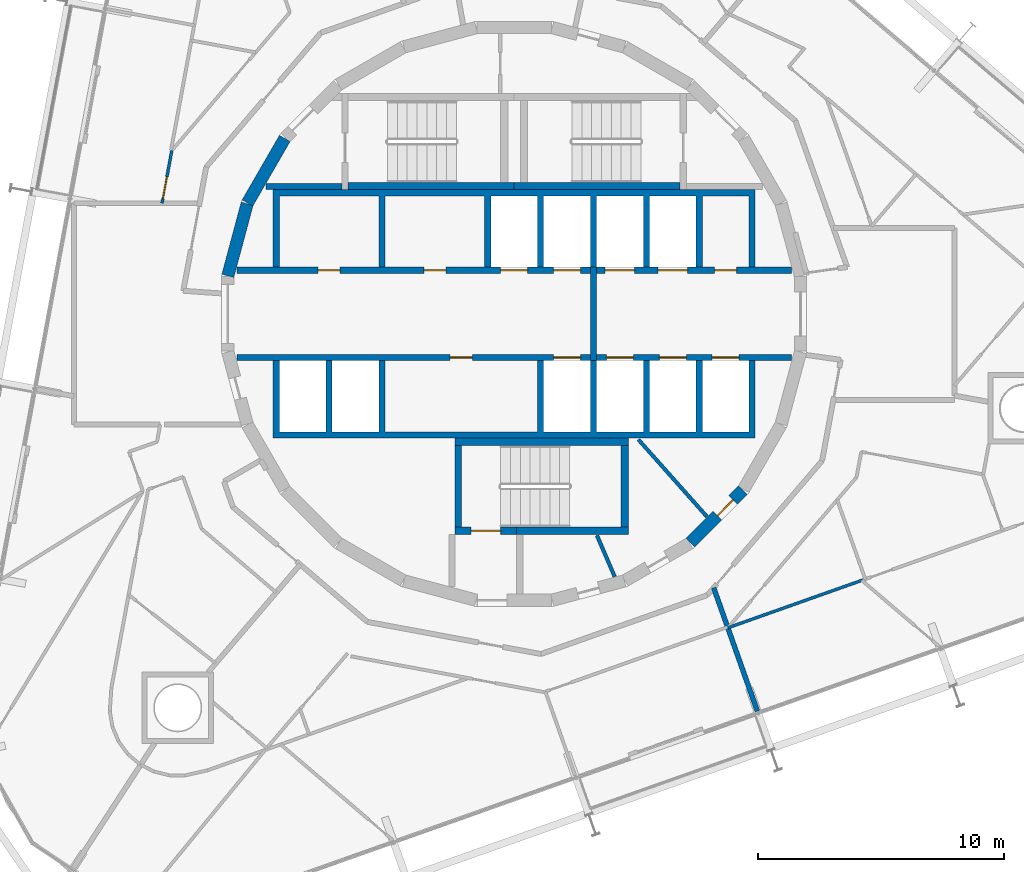
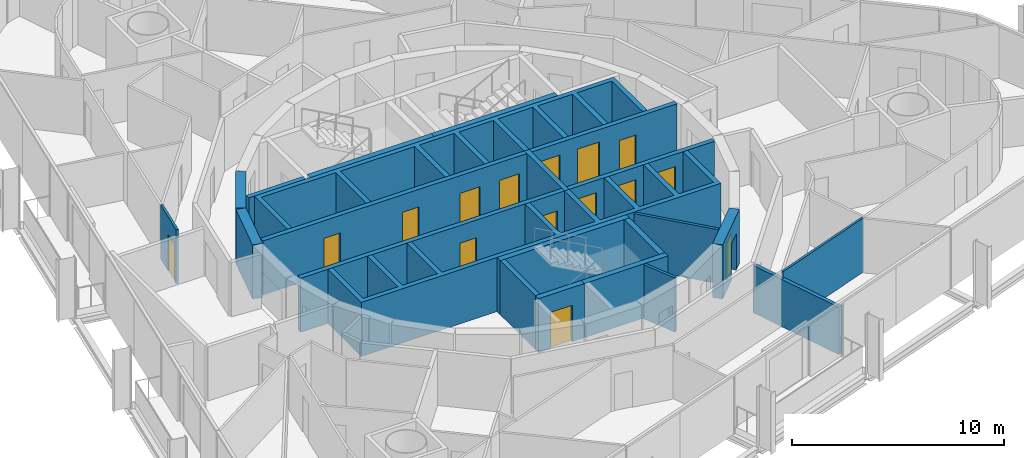
# One storey, part 12 of 17: 23 walls, 15 doors, 15 openings.
"""IFC4 building model written with IfcOpenShell, lengths in metres."""

from ifc_helpers import new_model, si_unit, direction, frame, frame_2d, origin, place, context, subcontext, project, spatial, polyline, rectangle, outline, extrude, material, layer, layer_set, type_object, element, fill, save


model = new_model("IFC4")

# Units and contexts
model_context = context("Model", 3, precision=1e-05, world=origin(), true_north=direction((0.0, 1.0)))
body_context = subcontext(model_context, "Body", "Model", "MODEL_VIEW")
ifc_project = project(units=[si_unit("LENGTHUNIT", "METRE"), si_unit("AREAUNIT", "SQUARE_METRE"), si_unit("VOLUMEUNIT", "CUBIC_METRE"), si_unit("PLANEANGLEUNIT", "RADIAN"), si_unit("MASSUNIT", "GRAM", prefix="KILO")], contexts=[model_context])

# Site, building, storey
site_placement = place(None, origin())
site = spatial("IfcSite", under=ifc_project, at=site_placement, CompositionType="ELEMENT")
building_placement = place(site_placement, origin())
building = spatial("IfcBuilding", under=site, at=building_placement, Name="Spindle Arch Residences", CompositionType="ELEMENT")
storey_placement = place(building_placement, frame((0.0, 0.0, 169.199951171875)))
storey = spatial("IfcBuildingStorey", under=building, at=storey_placement, Name="L42", CompositionType="ELEMENT", Elevation=169.199951171875)

# Wall, opening, door
ifc_material_1 = material(Name="Concrete C50/60", Category="concrete")
ifc_layer_1 = layer(ifc_material_1, 0.5)
ifc_layer_set_1 = layer_set([ifc_layer_1], Name="Core outline wall 500")
wall_type_1 = type_object("IfcWallType", Name="Core outline wall 500", PredefinedType="SHEAR", material=ifc_layer_set_1)
wall_1_placement = place(storey_placement, frame((7.163818359375, -9.30810546875, 0.0), z_axis=(0.0, 0.0, 1.0), x_axis=(0.707106781187, 0.707106781187, 0.0)))
wall_1 = element("IfcWall", 1, at=wall_1_placement, inside=storey, type_object=wall_type_1, Name="Core outline wall 3", PredefinedType="SHEAR", context=body_context, shape_type="SweptSolid", body=[
    extrude(rectangle(XDim=3.032470703125, YDim=0.5, at=frame_2d((1.51611328125, 0.0))), origin(), (0.0, 0.0, 1.0), 3.1201171875),
])
opening_1_placement = place(wall_1_placement, frame((1.56640625, 0.0, 0.0)))
opening_1 = element("IfcOpeningElement", 2, at=opening_1_placement, cuts=wall_1, Name="Opening R4B1-WD06", PredefinedType="OPENING", context=body_context, shape_type="SweptSolid", body=[
    extrude(rectangle(XDim=0.89990234375, YDim=2.10009765625, at=frame_2d((0.449951171875, 1.050048828125))), frame((0.0, 0.260009765625, 0.0), z_axis=(0.0, -1.0, 0.0), x_axis=(1.0, 0.0, 0.0)), (0.0, 0.0, 1.0), 0.52001953125),
])
ifc_material_2 = material(Name="Steel, fire-resisting door", Category="steel")
door_type_1 = type_object("IfcDoorType", Name="Service room door 900x2100", OperationType="SINGLE_SWING_LEFT", PredefinedType="DOOR", material=ifc_material_2)
door_1_placement = place(opening_1_placement, origin())
door_1 = element("IfcDoor", 3, at=door_1_placement, inside=storey, type_object=door_type_1, Name="Service room door R4B1-WD06", OperationType="SINGLE_SWING_RIGHT", OverallHeight=2.10009765625, OverallWidth=0.89990234375, PredefinedType="DOOR", context=body_context, shape_type="SweptSolid", body=[
    extrude(rectangle(XDim=0.89990234375, YDim=2.10009765625, at=frame_2d((0.449951171875, 1.050048828125))), frame((0.0, 0.02490234375, 0.0), z_axis=(0.0, -1.0, 0.0), x_axis=(1.0, 0.0, 0.0)), (0.0, 0.0, 1.0), 0.050048828125),
])
fill(opening_1, door_1)

# Walls
for number, where, z_axis, x_axis, name in (
    (4, (-9.32861328125, 7.13671875, 0.0), (0.0, 0.0, 1.0), (-0.500087131594, -0.865975092491, 0.0), "Core outline wall 16"),
    (5, (-10.858154296875, 4.479248046875, 0.0), (0.0, 0.0, 1.0), (-0.258734743916, -0.965948410781, 0.0), "Core outline wall 17"),
):
    element("IfcWall", number, at=place(storey_placement, frame(where, z_axis=z_axis, x_axis=x_axis)), inside=storey, type_object=wall_type_1, Name=name, PredefinedType="SHEAR", context=body_context, shape_type="SweptSolid", body=[
        extrude(rectangle(XDim=3.03271484375, YDim=0.5, at=frame_2d((1.516357421875, 0.0))), origin(), (0.0, 0.0, 1.0), 3.1201171875),
    ])

# Wall, openings, doors
ifc_material_3 = material(Name="Concrete C40/50", Category="concrete")
ifc_layer_2 = layer(ifc_material_3, 0.25)
ifc_layer_set_2 = layer_set([ifc_layer_2], Name="Fire-lift lobby wall 250")
wall_type_2 = type_object("IfcWallType", Name="Fire-lift lobby wall 250", PredefinedType="SHEAR", material=ifc_layer_set_2)
wall_2_placement = place(storey_placement, frame((3.35009765625, 1.77490234375, 0.0), z_axis=(0.0, 0.0, 1.0), x_axis=(1.0, 0.0, 0.0)))
wall_2 = element("IfcWall", 6, at=wall_2_placement, inside=storey, type_object=wall_type_2, Name="Lift shaft front wall NE", PredefinedType="SHEAR", context=body_context, shape_type="SweptSolid", body=[
    extrude(rectangle(XDim=7.929931640625, YDim=0.25, at=frame_2d((3.96484375, 0.0))), origin(), (0.0, 0.0, 1.0), 3.1201171875),
])
opening_2_placement = place(wall_2_placement, frame((0.35009765625, 0.0, 0.0)))
opening_2 = element("IfcOpeningElement", 7, at=opening_2_placement, cuts=wall_2, Name="Opening R4B1-SLD01", PredefinedType="OPENING", context=body_context, shape_type="SweptSolid", body=[
    extrude(rectangle(XDim=1.199951171875, YDim=2.39990234375, at=frame_2d((0.60009765625, 1.199951171875))), frame((0.0, 0.135009765625, 0.0), z_axis=(0.0, -1.0, 0.0), x_axis=(1.0, 0.0, 0.0)), (0.0, 0.0, 1.0), 0.27001953125),
])
opening_3_placement = place(wall_2_placement, frame((2.5, 0.0, 0.0)))
opening_3 = element("IfcOpeningElement", 8, at=opening_3_placement, cuts=wall_2, Name="Opening R4B1-SLD02", PredefinedType="OPENING", context=body_context, shape_type="SweptSolid", body=[
    extrude(rectangle(XDim=1.199951171875, YDim=2.39990234375, at=frame_2d((0.60009765625, 1.199951171875))), frame((0.0, 0.135009765625, 0.0), z_axis=(0.0, -1.0, 0.0), x_axis=(1.0, 0.0, 0.0)), (0.0, 0.0, 1.0), 0.27001953125),
])
opening_4_placement = place(wall_2_placement, frame((4.800048828125, 0.0, 0.0)))
opening_4 = element("IfcOpeningElement", 9, at=opening_4_placement, cuts=wall_2, Name="Opening R4B1-WD03", PredefinedType="OPENING", context=body_context, shape_type="SweptSolid", body=[
    extrude(rectangle(XDim=0.89990234375, YDim=2.10009765625, at=frame_2d((0.449951171875, 1.050048828125))), frame((0.0, 0.135009765625, 0.0), z_axis=(0.0, -1.0, 0.0), x_axis=(1.0, 0.0, 0.0)), (0.0, 0.0, 1.0), 0.27001953125),
])
ifc_material_4 = material(Name="Steel, fire-resisting landing door", Category="steel")
door_type_2 = type_object("IfcDoorType", Name="Service lift landing door 1200x2400", OperationType="DOUBLE_DOOR_SLIDING", PredefinedType="DOOR", material=ifc_material_4)
door_2_placement = place(opening_2_placement, origin())
door_2 = element("IfcDoor", 10, at=door_2_placement, inside=storey, type_object=door_type_2, Name="Service lift landing door R4B1-SLD01", OperationType="DOUBLE_DOOR_SLIDING", OverallHeight=2.39990234375, OverallWidth=1.199951171875, PredefinedType="DOOR", context=body_context, shape_type="SweptSolid", body=[
    extrude(rectangle(XDim=1.199951171875, YDim=2.39990234375, at=frame_2d((0.60009765625, 1.199951171875))), frame((0.0, 0.02490234375, 0.0), z_axis=(0.0, -1.0, 0.0), x_axis=(1.0, 0.0, 0.0)), (0.0, 0.0, 1.0), 0.050048828125),
])
fill(opening_2, door_2)
door_3_placement = place(opening_3_placement, origin())
door_3 = element("IfcDoor", 11, at=door_3_placement, inside=storey, type_object=door_type_2, Name="Service lift landing door R4B1-SLD02", OperationType="DOUBLE_DOOR_SLIDING", OverallHeight=2.39990234375, OverallWidth=1.199951171875, PredefinedType="DOOR", context=body_context, shape_type="SweptSolid", body=[
    extrude(rectangle(XDim=1.199951171875, YDim=2.39990234375, at=frame_2d((0.60009765625, 1.199951171875))), frame((0.0, 0.02490234375, 0.0), z_axis=(0.0, -1.0, 0.0), x_axis=(1.0, 0.0, 0.0)), (0.0, 0.0, 1.0), 0.050048828125),
])
fill(opening_3, door_3)
door_4_placement = place(opening_4_placement, origin())
door_4 = element("IfcDoor", 12, at=door_4_placement, inside=storey, type_object=door_type_1, Name="Service room door R4B1-WD03", OperationType="SINGLE_SWING_LEFT", OverallHeight=2.10009765625, OverallWidth=0.89990234375, PredefinedType="DOOR", context=body_context, shape_type="SweptSolid", body=[
    extrude(rectangle(XDim=0.89990234375, YDim=2.10009765625, at=frame_2d((0.449951171875, 1.050048828125))), frame((0.0, 0.02490234375, 0.0), z_axis=(0.0, -1.0, 0.0), x_axis=(1.0, 0.0, 0.0)), (0.0, 0.0, 1.0), 0.050048828125),
])
fill(opening_4, door_4)

# Wall
wall_3_placement = place(storey_placement, frame((3.22509765625, -1.89990234375, 0.0), z_axis=(0.0, 0.0, 1.0), x_axis=(0.0, 1.0, 0.0)))
element("IfcWall", 13, at=wall_3_placement, inside=storey, type_object=wall_type_2, Name="Fire-fighting lobby partition", PredefinedType="SHEAR", context=body_context, shape_type="SweptSolid", body=[
    extrude(rectangle(XDim=3.7998046875, YDim=0.25, at=frame_2d((1.89990234375, 0.0))), origin(), (0.0, 0.0, 1.0), 3.1201171875),
])

# Wall, openings, doors
ifc_material_5 = material(Name="Concrete C50/60", Category="concrete")
ifc_layer_3 = layer(ifc_material_5, 0.25)
ifc_layer_set_3 = layer_set([ifc_layer_3], Name="Fire-lift shaft wall 250")
wall_type_3 = type_object("IfcWallType", Name="Fire-lift shaft wall 250", PredefinedType="SHEAR", material=ifc_layer_set_3)
wall_4_placement = place(storey_placement, frame((3.35009765625, -1.77490234375, 0.0), z_axis=(0.0, 0.0, 1.0), x_axis=(1.0, 0.0, 0.0)))
wall_4 = element("IfcWall", 14, at=wall_4_placement, inside=storey, type_object=wall_type_3, Name="Lift shaft front wall SE", PredefinedType="SHEAR", context=body_context, shape_type="SweptSolid", body=[
    extrude(rectangle(XDim=7.929931640625, YDim=0.25, at=frame_2d((3.96484375, 0.0))), origin(), (0.0, 0.0, 1.0), 3.1201171875),
])
opening_5_placement = place(wall_4_placement, frame((0.39990234375, 0.0, 0.0)))
opening_5 = element("IfcOpeningElement", 15, at=opening_5_placement, cuts=wall_4, Name="Opening R4B1-FLD01", PredefinedType="OPENING", context=body_context, shape_type="SweptSolid", body=[
    extrude(rectangle(XDim=1.10009765625, YDim=2.39990234375, at=frame_2d((0.550048828125, 1.199951171875))), frame((0.0, 0.135009765625, 0.0), z_axis=(0.0, -1.0, 0.0), x_axis=(1.0, 0.0, 0.0)), (0.0, 0.0, 1.0), 0.27001953125),
])
opening_6_placement = place(wall_4_placement, frame((2.550048828125, 0.0, 0.0)))
opening_6 = element("IfcOpeningElement", 16, at=opening_6_placement, cuts=wall_4, Name="Opening R4B1-FLD02", PredefinedType="OPENING", context=body_context, shape_type="SweptSolid", body=[
    extrude(rectangle(XDim=1.10009765625, YDim=2.39990234375, at=frame_2d((0.550048828125, 1.199951171875))), frame((0.0, 0.135009765625, 0.0), z_axis=(0.0, -1.0, 0.0), x_axis=(1.0, 0.0, 0.0)), (0.0, 0.0, 1.0), 0.27001953125),
])
opening_7_placement = place(wall_4_placement, frame((4.699951171875, 0.0, 0.0)))
opening_7 = element("IfcOpeningElement", 17, at=opening_7_placement, cuts=wall_4, Name="Opening R4B1-FLD03", PredefinedType="OPENING", context=body_context, shape_type="SweptSolid", body=[
    extrude(rectangle(XDim=1.10009765625, YDim=2.39990234375, at=frame_2d((0.550048828125, 1.199951171875))), frame((0.0, 0.135009765625, 0.0), z_axis=(0.0, -1.0, 0.0), x_axis=(1.0, 0.0, 0.0)), (0.0, 0.0, 1.0), 0.27001953125),
])
ifc_material_6 = material(Name="Steel, fire-resisting landing door", Category="steel")
door_type_3 = type_object("IfcDoorType", Name="Fire-fighting lift landing door 1100x2400", OperationType="DOUBLE_DOOR_SLIDING", PredefinedType="DOOR", material=ifc_material_6)
door_5_placement = place(opening_5_placement, origin())
door_5 = element("IfcDoor", 18, at=door_5_placement, inside=storey, type_object=door_type_3, Name="Fire-fighting lift landing door R4B1-FLD01", OperationType="DOUBLE_DOOR_SLIDING", OverallHeight=2.39990234375, OverallWidth=1.10009765625, PredefinedType="DOOR", context=body_context, shape_type="SweptSolid", body=[
    extrude(rectangle(XDim=1.10009765625, YDim=2.39990234375, at=frame_2d((0.550048828125, 1.199951171875))), frame((0.0, 0.02490234375, 0.0), z_axis=(0.0, -1.0, 0.0), x_axis=(1.0, 0.0, 0.0)), (0.0, 0.0, 1.0), 0.050048828125),
])
fill(opening_5, door_5)
door_6_placement = place(opening_6_placement, origin())
door_6 = element("IfcDoor", 19, at=door_6_placement, inside=storey, type_object=door_type_3, Name="Fire-fighting lift landing door R4B1-FLD02", OperationType="DOUBLE_DOOR_SLIDING", OverallHeight=2.39990234375, OverallWidth=1.10009765625, PredefinedType="DOOR", context=body_context, shape_type="SweptSolid", body=[
    extrude(rectangle(XDim=1.10009765625, YDim=2.39990234375, at=frame_2d((0.550048828125, 1.199951171875))), frame((0.0, 0.02490234375, 0.0), z_axis=(0.0, -1.0, 0.0), x_axis=(1.0, 0.0, 0.0)), (0.0, 0.0, 1.0), 0.050048828125),
])
fill(opening_6, door_6)
door_7_placement = place(opening_7_placement, origin())
door_7 = element("IfcDoor", 20, at=door_7_placement, inside=storey, type_object=door_type_3, Name="Fire-fighting lift landing door R4B1-FLD03", OperationType="DOUBLE_DOOR_SLIDING", OverallHeight=2.39990234375, OverallWidth=1.10009765625, PredefinedType="DOOR", context=body_context, shape_type="SweptSolid", body=[
    extrude(rectangle(XDim=1.10009765625, YDim=2.39990234375, at=frame_2d((0.550048828125, 1.199951171875))), frame((0.0, 0.02490234375, 0.0), z_axis=(0.0, -1.0, 0.0), x_axis=(1.0, 0.0, 0.0)), (0.0, 0.0, 1.0), 0.050048828125),
])
fill(opening_7, door_7)

# Wall, opening, door
ifc_material_7 = material(Name="Plasterboard on steel studs", Category="steel")
ifc_layer_4 = layer(ifc_material_7, 0.1201171875)
ifc_layer_set_4 = layer_set([ifc_layer_4], Name="Flat partition 120")
wall_type_4 = type_object("IfcWallType", Name="Flat partition 120", PredefinedType="PARTITIONING", material=ifc_layer_set_4)
wall_5_placement = place(storey_placement, frame((-13.9228515625, 6.640869140625, 0.0), z_axis=(0.0, 0.0, 1.0), x_axis=(-0.182209715759, -0.983259690765, 0.0)))
wall_5 = element("IfcWall", 21, at=wall_5_placement, inside=storey, type_object=wall_type_4, Name="Flat partition R4B1-W072", PredefinedType="PARTITIONING", context=body_context, shape_type="SweptSolid", body=[
    extrude(rectangle(XDim=2.17724609375, YDim=0.1201171875, at=frame_2d((1.088623046875, 0.0))), origin(), (0.0, 0.0, 1.0), 3.1201171875),
])
opening_8_placement = place(wall_5_placement, frame((1.08349609375, 0.0, 0.0)))
opening_8 = element("IfcOpeningElement", 22, at=opening_8_placement, cuts=wall_5, Name="Opening R4B1-ID13", PredefinedType="OPENING", context=body_context, shape_type="SweptSolid", body=[
    extrude(rectangle(XDim=0.89990234375, YDim=2.10009765625, at=frame_2d((0.449951171875, 1.050048828125))), frame((0.0, 0.070068359375, 0.0), z_axis=(0.0, -1.0, 0.0), x_axis=(1.0, 0.0, 0.0)), (0.0, 0.0, 1.0), 0.14013671875),
])
ifc_material_8 = material(Name="Timber door set", Category="wood")
door_type_4 = type_object("IfcDoorType", Name="Room door 900x2100", OperationType="NOTDEFINED", PredefinedType="DOOR", material=ifc_material_8)
door_8_placement = place(opening_8_placement, origin())
door_8 = element("IfcDoor", 23, at=door_8_placement, inside=storey, type_object=door_type_4, Name="Room door R4B1-ID13", OperationType="SINGLE_SWING_LEFT", OverallHeight=2.10009765625, OverallWidth=0.89990234375, PredefinedType="DOOR", context=body_context, shape_type="SweptSolid", body=[
    extrude(rectangle(XDim=0.89990234375, YDim=2.10009765625, at=frame_2d((0.449951171875, 1.050048828125))), frame((0.0, 0.02490234375, 0.0), z_axis=(0.0, -1.0, 0.0), x_axis=(1.0, 0.0, 0.0)), (0.0, 0.0, 1.0), 0.050048828125),
])
fill(opening_8, door_8)

# Walls
wall_6_placement = place(storey_placement, frame((14.182861328125, -10.819091796875, 0.0), z_axis=(0.0, 0.0, 1.0), x_axis=(-0.942646448855, -0.333792858612, 0.0)))
element("IfcWall", 24, at=wall_6_placement, inside=storey, type_object=wall_type_4, Name="Flat partition R4B1-W116", PredefinedType="PARTITIONING", context=body_context, shape_type="SweptSolid", body=[
    extrude(rectangle(XDim=5.827880859375, YDim=0.1201171875, at=frame_2d((2.9140625, 0.0))), origin(), (0.0, 0.0, 1.0), 3.1201171875),
])
ifc_material_9 = material(Name="Calcium silicate block, plastered")
ifc_layer_5 = layer(ifc_material_9, 0.199951171875)
ifc_layer_set_5 = layer_set([ifc_layer_5], Name="Flat party wall 200 under beam 2730")
wall_type_5 = type_object("IfcWallType", Name="Flat party wall 200 under beam 2730", PredefinedType="STANDARD", material=ifc_layer_set_5)
wall_7_placement = place(storey_placement, frame((9.89111328125, -16.157958984375, 0.0), z_axis=(0.0, 0.0, 1.0), x_axis=(-0.333807281402, 0.942641341594, 0.0)))
element("IfcWall", 25, at=wall_7_placement, inside=storey, type_object=wall_type_5, Name="Flat party wall R4B1-W037", PredefinedType="STANDARD", context=body_context, shape_type="SweptSolid", body=[
    extrude(rectangle(XDim=5.328857421875, YDim=0.199951171875, at=frame_2d((2.66455078125, 0.0))), origin(), (0.0, 0.0, 1.0), 2.72998046875),
])

# Wall, openings, doors
ifc_material_10 = material(Name="Concrete C50/60", Category="concrete")
ifc_layer_6 = layer(ifc_material_10, 0.25)
ifc_layer_set_6 = layer_set([ifc_layer_6], Name="Lift shaft wall 250")
wall_type_6 = type_object("IfcWallType", Name="Lift shaft wall 250", PredefinedType="SHEAR", material=ifc_layer_set_6)
wall_8_placement = place(storey_placement, frame((-11.280029296875, 1.77490234375, 0.0), z_axis=(0.0, 0.0, 1.0), x_axis=(1.0, 0.0, 0.0)))
wall_8 = element("IfcWall", 26, at=wall_8_placement, inside=storey, type_object=wall_type_6, Name="Lift shaft front wall NW", PredefinedType="SHEAR", context=body_context, shape_type="SweptSolid", body=[
    extrude(rectangle(XDim=14.380126953125, YDim=0.25, at=frame_2d((7.18994140625, 0.0))), origin(), (0.0, 0.0, 1.0), 3.1201171875),
])
opening_9_placement = place(wall_8_placement, frame((10.72998046875, 0.0, 0.0)))
opening_9 = element("IfcOpeningElement", 27, at=opening_9_placement, cuts=wall_8, Name="Opening R4B1-LD01", PredefinedType="OPENING", context=body_context, shape_type="SweptSolid", body=[
    extrude(rectangle(XDim=1.10009765625, YDim=2.10009765625, at=frame_2d((0.550048828125, 1.050048828125))), frame((0.0, 0.135009765625, 0.0), z_axis=(0.0, -1.0, 0.0), x_axis=(1.0, 0.0, 0.0)), (0.0, 0.0, 1.0), 0.27001953125),
])
opening_10_placement = place(wall_8_placement, frame((12.8798828125, 0.0, 0.0)))
opening_10 = element("IfcOpeningElement", 28, at=opening_10_placement, cuts=wall_8, Name="Opening R4B1-LD02", PredefinedType="OPENING", context=body_context, shape_type="SweptSolid", body=[
    extrude(rectangle(XDim=1.10009765625, YDim=2.10009765625, at=frame_2d((0.550048828125, 1.050048828125))), frame((0.0, 0.135009765625, 0.0), z_axis=(0.0, -1.0, 0.0), x_axis=(1.0, 0.0, 0.0)), (0.0, 0.0, 1.0), 0.27001953125),
])
opening_11_placement = place(wall_8_placement, frame((3.304931640625, 0.0, 0.0)))
opening_11 = element("IfcOpeningElement", 29, at=opening_11_placement, cuts=wall_8, Name="Opening R4B1-WD01", PredefinedType="OPENING", context=body_context, shape_type="SweptSolid", body=[
    extrude(rectangle(XDim=0.89990234375, YDim=2.10009765625, at=frame_2d((0.449951171875, 1.050048828125))), frame((0.0, 0.135009765625, 0.0), z_axis=(0.0, -1.0, 0.0), x_axis=(1.0, 0.0, 0.0)), (0.0, 0.0, 1.0), 0.27001953125),
])
opening_12_placement = place(wall_8_placement, frame((7.60498046875, 0.0, 0.0)))
opening_12 = element("IfcOpeningElement", 30, at=opening_12_placement, cuts=wall_8, Name="Opening R4B1-WD02", PredefinedType="OPENING", context=body_context, shape_type="SweptSolid", body=[
    extrude(rectangle(XDim=0.89990234375, YDim=2.10009765625, at=frame_2d((0.449951171875, 1.050048828125))), frame((0.0, 0.135009765625, 0.0), z_axis=(0.0, -1.0, 0.0), x_axis=(1.0, 0.0, 0.0)), (0.0, 0.0, 1.0), 0.27001953125),
])
ifc_material_11 = material(Name="Steel, fire-resisting landing door", Category="steel")
door_type_5 = type_object("IfcDoorType", Name="Lift landing door 1100x2100", OperationType="DOUBLE_DOOR_SLIDING", PredefinedType="DOOR", material=ifc_material_11)
door_9_placement = place(opening_9_placement, origin())
door_9 = element("IfcDoor", 31, at=door_9_placement, inside=storey, type_object=door_type_5, Name="Lift landing door R4B1-LD01", OperationType="DOUBLE_DOOR_SLIDING", OverallHeight=2.10009765625, OverallWidth=1.10009765625, PredefinedType="DOOR", context=body_context, shape_type="SweptSolid", body=[
    extrude(rectangle(XDim=1.10009765625, YDim=2.10009765625, at=frame_2d((0.550048828125, 1.050048828125))), frame((0.0, 0.02490234375, 0.0), z_axis=(0.0, -1.0, 0.0), x_axis=(1.0, 0.0, 0.0)), (0.0, 0.0, 1.0), 0.050048828125),
])
fill(opening_9, door_9)
door_10_placement = place(opening_10_placement, origin())
door_10 = element("IfcDoor", 32, at=door_10_placement, inside=storey, type_object=door_type_5, Name="Lift landing door R4B1-LD02", OperationType="DOUBLE_DOOR_SLIDING", OverallHeight=2.10009765625, OverallWidth=1.10009765625, PredefinedType="DOOR", context=body_context, shape_type="SweptSolid", body=[
    extrude(rectangle(XDim=1.10009765625, YDim=2.10009765625, at=frame_2d((0.550048828125, 1.050048828125))), frame((0.0, 0.02490234375, 0.0), z_axis=(0.0, -1.0, 0.0), x_axis=(1.0, 0.0, 0.0)), (0.0, 0.0, 1.0), 0.050048828125),
])
fill(opening_10, door_10)
door_11_placement = place(opening_11_placement, origin())
door_11 = element("IfcDoor", 33, at=door_11_placement, inside=storey, type_object=door_type_1, Name="Service room door R4B1-WD01", OperationType="SINGLE_SWING_LEFT", OverallHeight=2.10009765625, OverallWidth=0.89990234375, PredefinedType="DOOR", context=body_context, shape_type="SweptSolid", body=[
    extrude(rectangle(XDim=0.89990234375, YDim=2.10009765625, at=frame_2d((0.449951171875, 1.050048828125))), frame((0.0, 0.02490234375, 0.0), z_axis=(0.0, -1.0, 0.0), x_axis=(1.0, 0.0, 0.0)), (0.0, 0.0, 1.0), 0.050048828125),
])
fill(opening_11, door_11)
door_12_placement = place(opening_12_placement, origin())
door_12 = element("IfcDoor", 34, at=door_12_placement, inside=storey, type_object=door_type_1, Name="Service room door R4B1-WD02", OperationType="SINGLE_SWING_RIGHT", OverallHeight=2.10009765625, OverallWidth=0.89990234375, PredefinedType="DOOR", context=body_context, shape_type="SweptSolid", body=[
    extrude(rectangle(XDim=0.89990234375, YDim=2.10009765625, at=frame_2d((0.449951171875, 1.050048828125))), frame((0.0, 0.02490234375, 0.0), z_axis=(0.0, -1.0, 0.0), x_axis=(1.0, 0.0, 0.0)), (0.0, 0.0, 1.0), 0.050048828125),
])
fill(opening_12, door_12)

wall_9_placement = place(storey_placement, frame((-11.280029296875, -1.77490234375, 0.0), z_axis=(0.0, 0.0, 1.0), x_axis=(1.0, 0.0, 0.0)))
wall_9 = element("IfcWall", 35, at=wall_9_placement, inside=storey, type_object=wall_type_6, Name="Lift shaft front wall SW", PredefinedType="SHEAR", context=body_context, shape_type="SweptSolid", body=[
    extrude(rectangle(XDim=14.380126953125, YDim=0.25, at=frame_2d((7.18994140625, 0.0))), origin(), (0.0, 0.0, 1.0), 3.1201171875),
])
opening_13_placement = place(wall_9_placement, frame((12.8798828125, 0.0, 0.0)))
opening_13 = element("IfcOpeningElement", 36, at=opening_13_placement, cuts=wall_9, Name="Opening R4B1-LD03", PredefinedType="OPENING", context=body_context, shape_type="SweptSolid", body=[
    extrude(rectangle(XDim=1.10009765625, YDim=2.10009765625, at=frame_2d((0.550048828125, 1.050048828125))), frame((0.0, 0.135009765625, 0.0), z_axis=(0.0, -1.0, 0.0), x_axis=(1.0, 0.0, 0.0)), (0.0, 0.0, 1.0), 0.27001953125),
])
opening_14_placement = place(wall_9_placement, frame((8.679931640625, 0.0, 0.0)))
opening_14 = element("IfcOpeningElement", 37, at=opening_14_placement, cuts=wall_9, Name="Opening R4B1-WD04", PredefinedType="OPENING", context=body_context, shape_type="SweptSolid", body=[
    extrude(rectangle(XDim=0.89990234375, YDim=2.10009765625, at=frame_2d((0.449951171875, 1.050048828125))), frame((0.0, 0.135009765625, 0.0), z_axis=(0.0, -1.0, 0.0), x_axis=(1.0, 0.0, 0.0)), (0.0, 0.0, 1.0), 0.27001953125),
])
door_13_placement = place(opening_13_placement, origin())
door_13 = element("IfcDoor", 38, at=door_13_placement, inside=storey, type_object=door_type_5, Name="Lift landing door R4B1-LD03", OperationType="DOUBLE_DOOR_SLIDING", OverallHeight=2.10009765625, OverallWidth=1.10009765625, PredefinedType="DOOR", context=body_context, shape_type="SweptSolid", body=[
    extrude(rectangle(XDim=1.10009765625, YDim=2.10009765625, at=frame_2d((0.550048828125, 1.050048828125))), frame((0.0, 0.02490234375, 0.0), z_axis=(0.0, -1.0, 0.0), x_axis=(1.0, 0.0, 0.0)), (0.0, 0.0, 1.0), 0.050048828125),
])
fill(opening_13, door_13)
door_14_placement = place(opening_14_placement, origin())
door_14 = element("IfcDoor", 39, at=door_14_placement, inside=storey, type_object=door_type_1, Name="Service room door R4B1-WD04", OperationType="SINGLE_SWING_RIGHT", OverallHeight=2.10009765625, OverallWidth=0.89990234375, PredefinedType="DOOR", context=body_context, shape_type="SweptSolid", body=[
    extrude(rectangle(XDim=0.89990234375, YDim=2.10009765625, at=frame_2d((0.449951171875, 1.050048828125))), frame((0.0, 0.02490234375, 0.0), z_axis=(0.0, -1.0, 0.0), x_axis=(1.0, 0.0, 0.0)), (0.0, 0.0, 1.0), 0.050048828125),
])
fill(opening_14, door_14)

# Walls
ifc_material_12 = material(Name="Concrete C50/60", Category="concrete")
wall_type_7 = type_object("IfcWallType", Name="Lift shaft wall profile", PredefinedType="SHEAR", material=ifc_material_12)
wall_10_placement = place(storey_placement, origin())
element("IfcWall", 40, at=wall_10_placement, inside=storey, type_object=wall_type_7, Name="Lift shaft walls N", PredefinedType="SHEAR", context=body_context, shape_type="SweptSolid", body=[
    extrude(outline(polyline([(-9.550048828125, 4.800048828125), (-5.5, 4.800048828125), (-5.5, 1.89990234375), (-5.25, 1.89990234375), (-5.25, 4.800048828125), (-1.199951171875, 4.800048828125), (-1.199951171875, 1.89990234375), (-0.949951171875, 1.89990234375), (-0.949951171875, 4.800048828125), (0.949951171875, 4.800048828125), (0.949951171875, 1.89990234375), (1.199951171875, 1.89990234375), (1.199951171875, 4.800048828125), (3.10009765625, 4.800048828125), (3.10009765625, 1.89990234375), (3.35009765625, 1.89990234375), (3.35009765625, 4.800048828125), (5.25, 4.800048828125), (5.25, 1.89990234375), (5.5, 1.89990234375), (5.5, 4.800048828125), (7.39990234375, 4.800048828125), (7.39990234375, 1.89990234375), (7.64990234375, 1.89990234375), (7.64990234375, 4.800048828125), (9.550048828125, 4.800048828125), (9.550048828125, 1.89990234375), (9.800048828125, 1.89990234375), (9.800048828125, 4.800048828125), (9.800048828125, 5.050048828125), (-9.800048828125, 5.050048828125), (-9.800048828125, 4.800048828125), (-9.800048828125, 1.89990234375), (-9.550048828125, 1.89990234375), (-9.550048828125, 4.800048828125)])), origin(), (0.0, 0.0, 1.0), 3.1201171875),
])
wall_11_placement = place(storey_placement, origin())
element("IfcWall", 41, at=wall_11_placement, inside=storey, type_object=wall_type_7, Name="Lift shaft walls S", PredefinedType="SHEAR", context=body_context, shape_type="SweptSolid", body=[
    extrude(outline(polyline([(9.800048828125, -5.050048828125), (9.800048828125, -4.800048828125), (9.800048828125, -1.89990234375), (9.550048828125, -1.89990234375), (9.550048828125, -4.800048828125), (7.64990234375, -4.800048828125), (7.64990234375, -1.89990234375), (7.39990234375, -1.89990234375), (7.39990234375, -4.800048828125), (5.5, -4.800048828125), (5.5, -1.89990234375), (5.25, -1.89990234375), (5.25, -4.800048828125), (3.35009765625, -4.800048828125), (3.35009765625, -1.89990234375), (3.10009765625, -1.89990234375), (3.10009765625, -4.800048828125), (1.199951171875, -4.800048828125), (1.199951171875, -1.89990234375), (0.949951171875, -1.89990234375), (0.949951171875, -4.800048828125), (-5.25, -4.800048828125), (-5.25, -1.89990234375), (-5.5, -1.89990234375), (-5.5, -4.800048828125), (-7.39990234375, -4.800048828125), (-7.39990234375, -1.89990234375), (-7.64990234375, -1.89990234375), (-7.64990234375, -4.800048828125), (-9.550048828125, -4.800048828125), (-9.550048828125, -1.89990234375), (-9.800048828125, -1.89990234375), (-9.800048828125, -4.800048828125), (-9.800048828125, -5.050048828125), (9.800048828125, -5.050048828125)])), origin(), (0.0, 0.0, 1.0), 3.1201171875),
])
ifc_material_13 = material(Name="Concrete C25/30", Category="concrete")
ifc_layer_7 = layer(ifc_material_13, 0.14990234375)
ifc_layer_set_7 = layer_set([ifc_layer_7], Name="Service room partition 150")
wall_type_8 = type_object("IfcWallType", Name="Service room partition 150", PredefinedType="PARTITIONING", material=ifc_layer_set_7)
wall_12_placement = place(storey_placement, frame((7.84228515625, -8.24755859375, 0.0), z_axis=(0.0, 0.0, 1.0), x_axis=(-0.66446128181, 0.747322691329, 0.0)))
element("IfcWall", 42, at=wall_12_placement, inside=storey, type_object=wall_type_8, Name="Core service room partition", PredefinedType="PARTITIONING", context=body_context, shape_type="SweptSolid", body=[
    extrude(rectangle(XDim=4.198486328125, YDim=0.14990234375, at=frame_2d((2.09912109375, 0.0))), origin(), (0.0, 0.0, 1.0), 3.1201171875),
])
wall_13_placement = place(storey_placement, frame((3.366943359375, -9.0068359375, 0.0), z_axis=(0.0, 0.0, 1.0), x_axis=(0.394387482265, -0.918944238696, 0.0)))
element("IfcWall", 43, at=wall_13_placement, inside=storey, type_object=wall_type_8, Name="Core service room partition", PredefinedType="PARTITIONING", context=body_context, shape_type="SweptSolid", body=[
    extrude(rectangle(XDim=1.824951171875, YDim=0.14990234375, at=frame_2d((0.91259765625, 0.0))), origin(), (0.0, 0.0, 1.0), 3.1201171875),
])
ifc_material_14 = material(Name="Concrete C40/50", Category="concrete")
ifc_layer_8 = layer(ifc_material_14, 0.25)
ifc_layer_set_8 = layer_set([ifc_layer_8], Name="Stair airlock wall 250")
wall_type_9 = type_object("IfcWallType", Name="Stair airlock wall 250", PredefinedType="SHEAR", material=ifc_layer_set_8)
wall_14_placement = place(storey_placement, frame((-7.0, 5.175048828125, 0.0), z_axis=(0.0, 0.0, 1.0), x_axis=(-1.0, 0.0, 0.0)))
element("IfcWall", 44, at=wall_14_placement, inside=storey, type_object=wall_type_9, Name="Stair ST-2 airlock wall S", PredefinedType="SHEAR", context=body_context, shape_type="SweptSolid", body=[
    extrude(rectangle(XDim=3.10009765625, YDim=0.25, at=frame_2d((1.550048828125, 0.0))), origin(), (0.0, 0.0, 1.0), 3.1201171875),
])
ifc_material_15 = material(Name="Concrete C50/60", Category="concrete")
ifc_layer_9 = layer(ifc_material_15, 0.25)
ifc_layer_set_9 = layer_set([ifc_layer_9], Name="Stair enclosure wall 250")
wall_type_10 = type_object("IfcWallType", Name="Stair enclosure wall 250", PredefinedType="SHEAR", material=ifc_layer_set_9)
wall_15_placement = place(storey_placement, frame((-2.27490234375, -8.669921875, 0.0), z_axis=(0.0, 0.0, 1.0), x_axis=(0.0, 1.0, 0.0)))
element("IfcWall", 45, at=wall_15_placement, inside=storey, type_object=wall_type_10, Name="Stair ST-3 enclosure wall W", PredefinedType="SHEAR", context=body_context, shape_type="SweptSolid", body=[
    extrude(rectangle(XDim=3.31982421875, YDim=0.25, at=frame_2d((1.659912109375, 0.0))), origin(), (0.0, 0.0, 1.0), 3.1201171875),
])
ifc_material_16 = material(Name="Concrete C50/60", Category="concrete")
ifc_layer_10 = layer(ifc_material_16, 0.300048828125)
ifc_layer_set_10 = layer_set([ifc_layer_10], Name="Stair enclosure wall 300")
wall_type_11 = type_object("IfcWallType", Name="Stair enclosure wall 300", PredefinedType="SHEAR", material=ifc_layer_set_10)
for number, where, z_axis, x_axis, name in (
    (46, (0.0, 5.199951171875, 0.0), (0.0, 0.0, 1.0), (1.0, 0.0, 0.0), "Stair ST-1 enclosure wall S"),
    (47, (-6.75, 5.199951171875, 0.0), (0.0, 0.0, 1.0), (1.0, 0.0, 0.0), "Stair ST-2 enclosure wall S"),
):
    element("IfcWall", number, at=place(storey_placement, frame(where, z_axis=z_axis, x_axis=x_axis)), inside=storey, type_object=wall_type_11, Name=name, PredefinedType="SHEAR", context=body_context, shape_type="SweptSolid", body=[
        extrude(rectangle(XDim=6.75, YDim=0.300048828125, at=frame_2d((3.375, 0.0))), origin(), (0.0, 0.0, 1.0), 3.1201171875),
    ])
wall_16_placement = place(storey_placement, frame((-2.39990234375, -5.199951171875, 0.0), z_axis=(0.0, 0.0, 1.0), x_axis=(1.0, 0.0, 0.0)))
element("IfcWall", 48, at=wall_16_placement, inside=storey, type_object=wall_type_11, Name="Stair ST-3 enclosure wall N", PredefinedType="SHEAR", context=body_context, shape_type="SweptSolid", body=[
    extrude(rectangle(XDim=7.0498046875, YDim=0.300048828125, at=frame_2d((3.52490234375, 0.0))), origin(), (0.0, 0.0, 1.0), 3.1201171875),
])
wall_17_placement = place(storey_placement, frame((4.5, -8.669921875, 0.0), z_axis=(0.0, 0.0, 1.0), x_axis=(0.0, 1.0, 0.0)))
element("IfcWall", 49, at=wall_17_placement, inside=storey, type_object=wall_type_11, Name="Stair ST-3 enclosure wall E", PredefinedType="SHEAR", context=body_context, shape_type="SweptSolid", body=[
    extrude(rectangle(XDim=3.31982421875, YDim=0.300048828125, at=frame_2d((1.659912109375, 0.0))), origin(), (0.0, 0.0, 1.0), 3.1201171875),
])
wall_18_placement = place(storey_placement, frame((0.10009765625, -8.820068359375, 0.0), z_axis=(0.0, 0.0, 1.0), x_axis=(1.0, 0.0, 0.0)))
element("IfcWall", 50, at=wall_18_placement, inside=storey, type_object=wall_type_11, Name="Stair ST-3 enclosure wall S", PredefinedType="SHEAR", context=body_context, shape_type="SweptSolid", body=[
    extrude(rectangle(XDim=4.5498046875, YDim=0.300048828125, at=frame_2d((2.27490234375, 0.0))), origin(), (0.0, 0.0, 1.0), 3.1201171875),
])

# Wall, opening, door
wall_19_placement = place(storey_placement, frame((-2.39990234375, -8.820068359375, 0.0), z_axis=(0.0, 0.0, 1.0), x_axis=(1.0, 0.0, 0.0)))
wall_19 = element("IfcWall", 51, at=wall_19_placement, inside=storey, type_object=wall_type_11, Name="Stair ST-3 door wall", PredefinedType="SHEAR", context=body_context, shape_type="SweptSolid", body=[
    extrude(rectangle(XDim=2.5, YDim=0.300048828125, at=frame_2d((1.25, 0.0))), origin(), (0.0, 0.0, 1.0), 3.1201171875),
])
opening_15_placement = place(wall_19_placement, frame((0.64990234375, 0.0, 0.0)))
opening_15 = element("IfcOpeningElement", 52, at=opening_15_placement, cuts=wall_19, Name="Opening R4B1-SD03", PredefinedType="OPENING", context=body_context, shape_type="SweptSolid", body=[
    extrude(rectangle(XDim=1.199951171875, YDim=2.10009765625, at=frame_2d((0.60009765625, 1.050048828125))), frame((0.0, 0.16015625, 0.0), z_axis=(0.0, -1.0, 0.0), x_axis=(1.0, 0.0, 0.0)), (0.0, 0.0, 1.0), 0.320068359375),
])
ifc_material_17 = material(Name="Steel, fire-resisting door", Category="steel")
door_type_6 = type_object("IfcDoorType", Name="Stair door 1200x2100", OperationType="SINGLE_SWING_RIGHT", PredefinedType="DOOR", material=ifc_material_17)
door_15_placement = place(opening_15_placement, origin())
door_15 = element("IfcDoor", 53, at=door_15_placement, inside=storey, type_object=door_type_6, Name="Stair door R4B1-SD03", OperationType="SINGLE_SWING_LEFT", OverallHeight=2.10009765625, OverallWidth=1.199951171875, PredefinedType="DOOR", context=body_context, shape_type="SweptSolid", body=[
    extrude(rectangle(XDim=1.199951171875, YDim=2.10009765625, at=frame_2d((0.60009765625, 1.050048828125))), frame((0.0, 0.02490234375, 0.0), z_axis=(0.0, -1.0, 0.0), x_axis=(1.0, 0.0, 0.0)), (0.0, 0.0, 1.0), 0.050048828125),
])
fill(opening_15, door_15)

save(model, "model.ifc")
